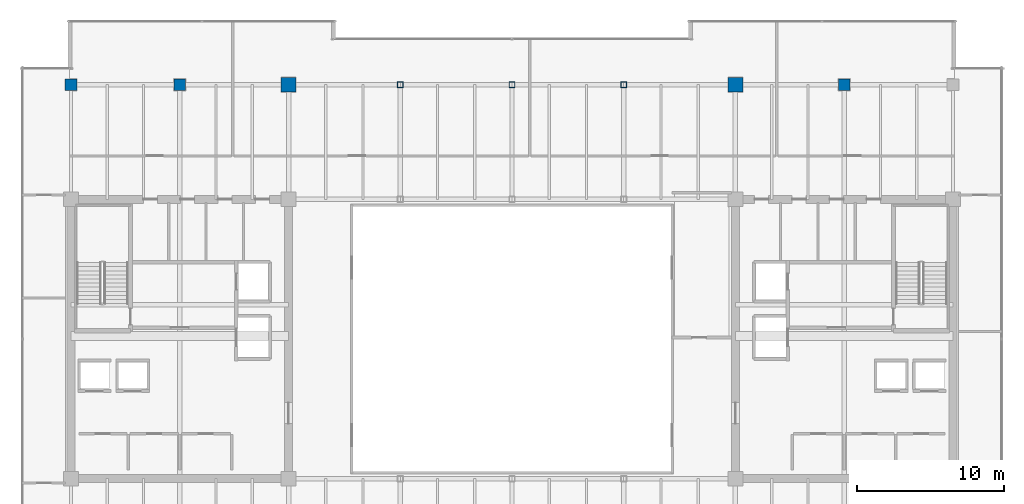
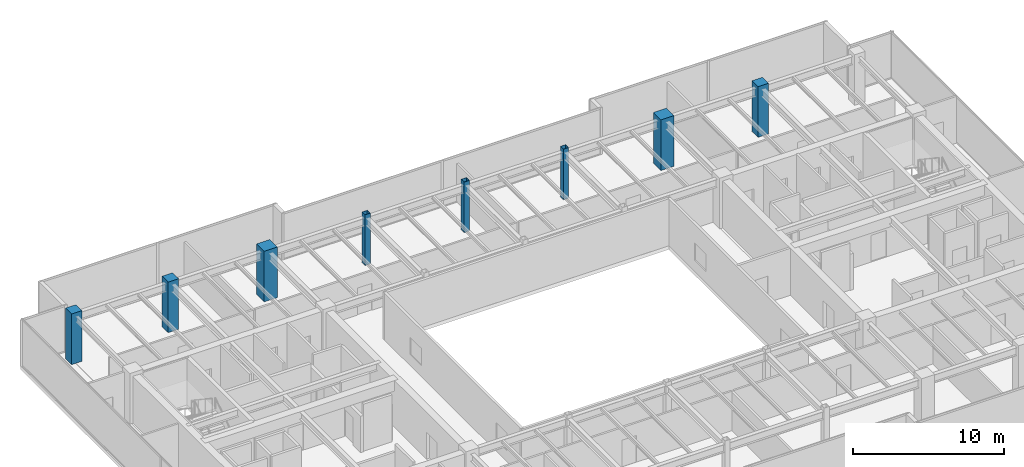
# One storey, part 3 of 35: 8 columns.
"""IFC4 building model written with IfcOpenShell, lengths in metres."""

from ifc_helpers import new_model, si_unit, direction, frame, origin, origin_2d, place, context, subcontext, project, spatial, rectangle, hollow_rectangle, extrude, source, transform, mapped, material, material_profile, profile_set, type_object, type_shapes, element, save


model = new_model("IFC4")

# Units and contexts
model_context = context("Model", 3, precision=1e-05, world=origin(), true_north=direction((0.0, 1.0)))
body_context = subcontext(model_context, "Body", "Model", "MODEL_VIEW")
ifc_project = project(units=[si_unit("LENGTHUNIT", "METRE"), si_unit("AREAUNIT", "SQUARE_METRE"), si_unit("VOLUMEUNIT", "CUBIC_METRE"), si_unit("PLANEANGLEUNIT", "RADIAN"), si_unit("MASSUNIT", "GRAM", prefix="KILO")], contexts=[model_context])

# Site, building, storey
site_placement = place(None, origin())
site = spatial("IfcSite", under=ifc_project, at=site_placement, CompositionType="ELEMENT")
building_placement = place(site_placement, origin())
building = spatial("IfcBuilding", under=site, at=building_placement, Name="Haelvirn Gate Laboratories", CompositionType="ELEMENT")
storey_placement = place(building_placement, frame((0.0, 0.0, 226.0)))
storey = spatial("IfcBuildingStorey", under=building, at=storey_placement, Name="L54", CompositionType="ELEMENT", Elevation=226.0)

# Columns
ifc_material_1 = material(Name="Concrete C60/75", Category="concrete")
ifc_material_profile_1 = material_profile(ifc_material_1, rectangle(XDim=1.0, YDim=1.0, at=origin_2d()), Name="RC-1000x1000")
ifc_profile_set_1 = profile_set([ifc_material_profile_1], Name="Concrete C60/75")
column_type_1 = type_object("IfcColumnType", Name="COL-RC-1000", PredefinedType="COLUMN", material=ifc_profile_set_1)
shared_shape_1 = source(origin(), body_context, "Body", "SweptSolid", [
    extrude(rectangle(XDim=1.0, YDim=1.0, at=origin_2d()), origin(), (0.0, 0.0, 1.0), 4.10009765625),
])
type_shapes(column_type_1, [shared_shape_1])
for number, where, z_axis, x_axis, name in (
    (1, (22.199951171875, 41.60009765625, 0.0), (0.0, 0.0, 1.0), (1.0, 0.0, 0.0), "L54 Column 4G"),
    (2, (52.60009765625, 41.60009765625, 0.0), (0.0, 0.0, 1.0), (1.0, 0.0, 0.0), "L54 Column 8G"),
):
    element("IfcColumn", number, at=place(storey_placement, frame(where, z_axis=z_axis, x_axis=x_axis)), inside=storey, type_object=column_type_1, Name=name, PredefinedType="COLUMN", context=body_context, shape_type="MappedRepresentation", body=[
        mapped(shared_shape_1, transform((0.0, 0.0, 0.0), scale=1.0)),
    ])
ifc_material_2 = material(Name="Concrete C50/60", Category="concrete")
ifc_material_profile_2 = material_profile(ifc_material_2, rectangle(XDim=0.800048828125, YDim=0.800048828125, at=origin_2d()), Name="RC-800x800")
ifc_profile_set_2 = profile_set([ifc_material_profile_2], Name="Concrete C50/60")
column_type_2 = type_object("IfcColumnType", Name="COL-RC-800", PredefinedType="COLUMN", material=ifc_profile_set_2)
shared_shape_2 = source(origin(), body_context, "Body", "SweptSolid", [
    extrude(rectangle(XDim=0.800048828125, YDim=0.800048828125, at=origin_2d()), origin(), (0.0, 0.0, 1.0), 4.10009765625),
])
type_shapes(column_type_2, [shared_shape_2])
for number, where, z_axis, x_axis, name in (
    (3, (14.800048828125, 41.60009765625, 0.0), (0.0, 0.0, 1.0), (1.0, 0.0, 0.0), "L54 Column 3G"),
    (4, (60.0, 41.60009765625, 0.0), (0.0, 0.0, 1.0), (1.0, 0.0, 0.0), "L54 Column 9G"),
    (5, (7.39990234375, 41.60009765625, 0.0), (0.0, 0.0, 1.0), (1.0, 0.0, 0.0), "L54 Column 2G"),
):
    element("IfcColumn", number, at=place(storey_placement, frame(where, z_axis=z_axis, x_axis=x_axis)), inside=storey, type_object=column_type_2, Name=name, PredefinedType="COLUMN", context=body_context, shape_type="MappedRepresentation", body=[
        mapped(shared_shape_2, transform((0.0, 0.0, 0.0), scale=1.0)),
    ])
ifc_material_3 = material(Name="Steel SM355", Category="steel")
ifc_material_profile_3 = material_profile(ifc_material_3, hollow_rectangle(XDim=0.39990234375, YDim=0.39990234375, WallThickness=0.01904296875, at=origin_2d()), Name="BOX-400x400x19")
ifc_profile_set_3 = profile_set([ifc_material_profile_3], Name="Steel SM355")
column_type_3 = type_object("IfcColumnType", Name="COL-BOX-400", PredefinedType="COLUMN", material=ifc_profile_set_3)
shared_shape_3 = source(origin(), body_context, "Body", "SweptSolid", [
    extrude(hollow_rectangle(XDim=0.39990234375, YDim=0.39990234375, WallThickness=0.01904296875, at=origin_2d()), origin(), (0.0, 0.0, 1.0), 4.10009765625),
])
type_shapes(column_type_3, [shared_shape_3])
for number, where, z_axis, x_axis, name in (
    (6, (29.800048828125, 41.60009765625, 0.0), (0.0, 0.0, 1.0), (1.0, 0.0, 0.0), "L54 Column 5G"),
    (7, (37.39990234375, 41.60009765625, 0.0), (0.0, 0.0, 1.0), (1.0, 0.0, 0.0), "L54 Column 6G"),
    (8, (45.0, 41.60009765625, 0.0), (0.0, 0.0, 1.0), (1.0, 0.0, 0.0), "L54 Column 7G"),
):
    element("IfcColumn", number, at=place(storey_placement, frame(where, z_axis=z_axis, x_axis=x_axis)), inside=storey, type_object=column_type_3, Name=name, PredefinedType="COLUMN", context=body_context, shape_type="MappedRepresentation", body=[
        mapped(shared_shape_3, transform((0.0, 0.0, 0.0), scale=1.0)),
    ])

save(model, "model.ifc")
